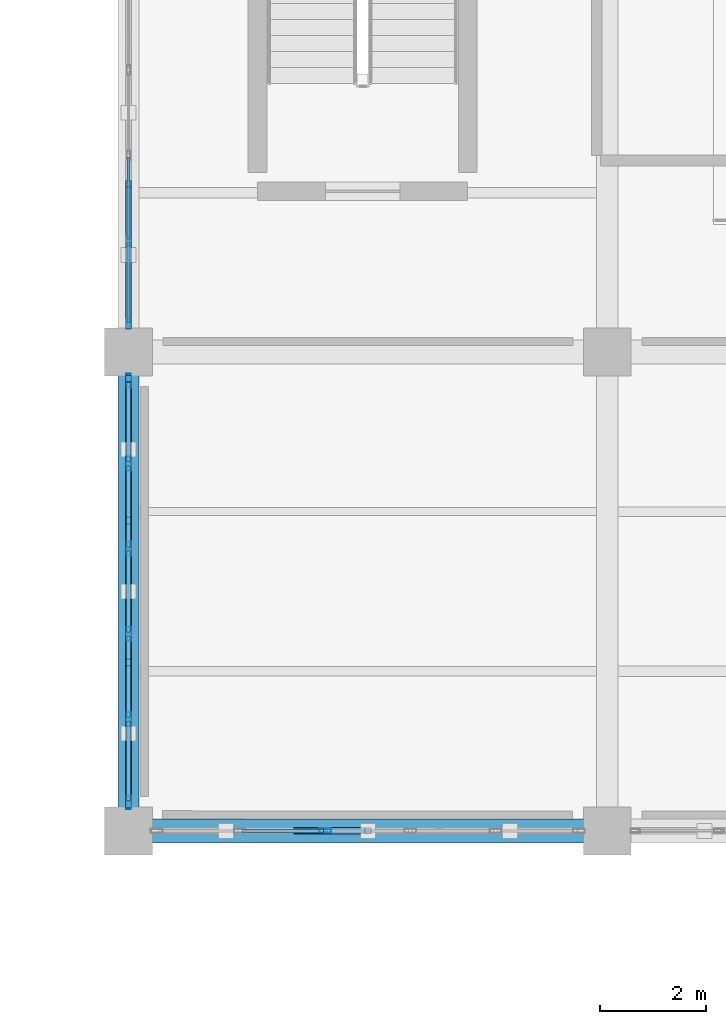
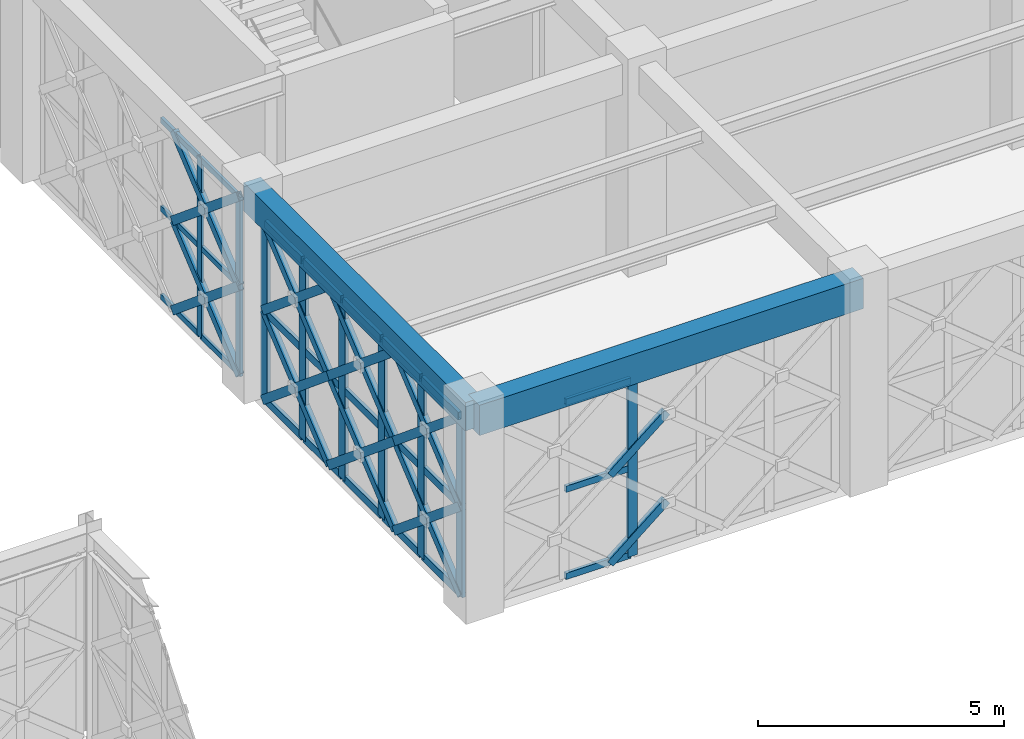
# One storey, part 45 of 166: 59 members, 2 beams, 3 elements without a shape of their own.
"""IFC4 building model written with IfcOpenShell, lengths in metres."""

from ifc_helpers import new_model, si_unit, direction, frame, origin, origin_2d, place, context, subcontext, project, spatial, rectangle, hollow_rectangle, extrude, material, material_profile, profile_set, type_object, element, aggregate, save


model = new_model("IFC4")

# Units and contexts
model_context = context("Model", 3, precision=1e-05, world=origin(), true_north=direction((0.0, 1.0)))
body_context = subcontext(model_context, "Body", "Model", "MODEL_VIEW")
ifc_project = project(units=[si_unit("LENGTHUNIT", "METRE"), si_unit("AREAUNIT", "SQUARE_METRE"), si_unit("VOLUMEUNIT", "CUBIC_METRE"), si_unit("PLANEANGLEUNIT", "RADIAN"), si_unit("MASSUNIT", "GRAM", prefix="KILO")], contexts=[model_context])

# Site, building, storey
site_placement = place(None, origin())
site = spatial("IfcSite", under=ifc_project, at=site_placement, CompositionType="ELEMENT")
building_placement = place(site_placement, origin())
building = spatial("IfcBuilding", under=site, at=building_placement, Name="Haizhuo Lancet Aquarium", CompositionType="ELEMENT")
storey_placement = place(building_placement, frame((0.0, 0.0, 5.39990234375)))
storey = spatial("IfcBuildingStorey", under=building, at=storey_placement, Name="L01", CompositionType="ELEMENT", Elevation=5.39990234375)

# Beams
ifc_material_1 = material(Name="Concrete C40/50", Category="concrete")
ifc_material_profile_1 = material_profile(ifc_material_1, rectangle(XDim=0.39990234375, YDim=0.699951171875, at=origin_2d()), Name="RC-BM 400x700")
ifc_profile_set_1 = profile_set([ifc_material_profile_1], Name="Concrete C40/50")
beam_type_1 = type_object("IfcBeamType", Name="BM-RC-400x700", PredefinedType="BEAM", material=ifc_profile_set_1)
beam_1_placement = place(storey_placement, frame((27.0, -36.0, 4.7900390625), z_axis=(0.0, 1.0, 0.0), x_axis=(-1.0, 0.0, 0.0)))
element("IfcBeam", 1, at=beam_1_placement, inside=storey, type_object=beam_type_1, Name="L01 V3 primary girder BM-L01-V3-001", PredefinedType="BEAM", context=body_context, shape_type="SweptSolid", body=[
    extrude(rectangle(XDim=0.39990234375, YDim=0.699951171875, at=origin_2d()), origin(), (0.0, 0.0, 1.0), 9.0),
])
ifc_material_profile_2 = material_profile(ifc_material_1, rectangle(XDim=0.449951171875, YDim=0.75, at=origin_2d()), Name="RC-BM 450x750")
ifc_profile_set_2 = profile_set([ifc_material_profile_2], Name="Concrete C40/50")
beam_type_2 = type_object("IfcBeamType", Name="BM-RC-450x750", PredefinedType="BEAM", material=ifc_profile_set_2)
beam_2_placement = place(storey_placement, frame((27.0, -36.0, 4.76513671875), z_axis=(1.0, 0.0, 0.0), x_axis=(0.0, 1.0, 0.0)))
element("IfcBeam", 2, at=beam_2_placement, inside=storey, type_object=beam_type_2, Name="L01 V3 primary girder BM-L01-V3-002", PredefinedType="BEAM", context=body_context, shape_type="SweptSolid", body=[
    extrude(rectangle(XDim=0.449951171875, YDim=0.75, at=origin_2d()), origin(), (0.0, 0.0, 1.0), 9.0),
])

# Curtain wall, members
ifc_material_2 = material(Name="Aluminium 6063-T6", Category="aluminium")
curtain_wall_type_1 = type_object("IfcCurtainWallType", Name="CWO-8010x4440", PredefinedType="NOTDEFINED", material=ifc_material_2)
curtain_wall_1_placement = place(storey_placement, origin())
curtain_wall_1 = element("IfcCurtainWall", 3, at=curtain_wall_1_placement, inside=storey, type_object=curtain_wall_type_1, Name="L01 curtain wall CW-V3-L01-049", PredefinedType="NOTDEFINED")
ifc_material_profile_3 = material_profile(ifc_material_2, hollow_rectangle(XDim=0.06494140625, YDim=0.179931640625, WallThickness=0.00390625, at=origin_2d()), Name="ALU-M 65x180x4")
ifc_profile_set_3 = profile_set([ifc_material_profile_3], Name="Aluminium 6063-T6")
member_type_1 = type_object("IfcMemberType", Name="CW-MUL-1", PredefinedType="MULLION", material=ifc_profile_set_3)
member_1_placement = place(storey_placement, frame((27.0, -26.472900390625, 0.0), z_axis=(0.0, 0.0, 1.0), x_axis=(-1.0, 0.0, 0.0)))
member_1 = element("IfcMember", 4, at=member_1_placement, type_object=member_type_1, Name="CWO-80x44 mullion 1", PredefinedType="MULLION", context=body_context, shape_type="SweptSolid", body=[
    extrude(hollow_rectangle(XDim=0.06494140625, YDim=0.179931640625, WallThickness=0.00390625, at=origin_2d()), origin(), (0.0, 0.0, 1.0), 4.440185546875),
])
member_2_placement = place(storey_placement, frame((27.0, -24.903076171875, 0.0), z_axis=(0.0, 0.0, 1.0), x_axis=(-1.0, 0.0, 0.0)))
member_2 = element("IfcMember", 5, at=member_2_placement, type_object=member_type_1, Name="CWO-80x44 mullion 2", PredefinedType="MULLION", context=body_context, shape_type="SweptSolid", body=[
    extrude(hollow_rectangle(XDim=0.06494140625, YDim=0.179931640625, WallThickness=0.00390625, at=origin_2d()), origin(), (0.0, 0.0, 1.0), 4.440185546875),
])

# Curtain wall, member
curtain_wall_type_2 = type_object("IfcCurtainWallType", Name="CWO-8010x4390", PredefinedType="NOTDEFINED", material=ifc_material_2)
curtain_wall_2_placement = place(storey_placement, origin())
curtain_wall_2 = element("IfcCurtainWall", 6, at=curtain_wall_2_placement, inside=storey, type_object=curtain_wall_type_2, Name="L01 curtain wall CW-V3-L01-047", PredefinedType="NOTDEFINED")
ifc_material_profile_4 = material_profile(ifc_material_2, hollow_rectangle(XDim=0.074951171875, YDim=0.219970703125, WallThickness=0.0048828125, at=origin_2d()), Name="ALU-M 75x220x5")
ifc_profile_set_4 = profile_set([ifc_material_profile_4], Name="Aluminium 6063-T6")
member_type_2 = type_object("IfcMemberType", Name="CW-MUL-2", PredefinedType="MULLION", material=ifc_profile_set_4)
member_3_placement = place(storey_placement, frame((30.698974609375, -36.0, 0.0), z_axis=(0.0, 0.0, 1.0), x_axis=(0.0, -1.0, 0.0)))
member_3 = element("IfcMember", 7, at=member_3_placement, type_object=member_type_2, Name="CWO-80x43 mullion 4", PredefinedType="MULLION", context=body_context, shape_type="SweptSolid", body=[
    extrude(hollow_rectangle(XDim=0.074951171875, YDim=0.219970703125, WallThickness=0.0048828125, at=origin_2d()), origin(), (0.0, 0.0, 1.0), 4.39013671875),
])

# Curtain wall, members
curtain_wall_3_placement = place(storey_placement, origin())
curtain_wall_3 = element("IfcCurtainWall", 8, at=curtain_wall_3_placement, inside=storey, type_object=curtain_wall_type_1, Name="L01 curtain wall CW-V3-L01-048", PredefinedType="NOTDEFINED")
ifc_material_profile_5 = material_profile(ifc_material_2, hollow_rectangle(XDim=0.080078125, YDim=0.260009765625, WallThickness=0.0048828125, at=origin_2d()), Name="ALU-M 80x260x5")
ifc_profile_set_5 = profile_set([ifc_material_profile_5], Name="Aluminium 6063-T6")
member_type_3 = type_object("IfcMemberType", Name="CW-MUL-3", PredefinedType="MULLION", material=ifc_profile_set_5)
member_4_placement = place(storey_placement, frame((27.0, -35.465087890625, 0.0), z_axis=(0.0, 0.0, 1.0), x_axis=(-1.0, 0.0, 0.0)))
member_4 = element("IfcMember", 9, at=member_4_placement, type_object=member_type_3, Name="CWO-80x44 mullion 1", PredefinedType="MULLION", context=body_context, shape_type="SweptSolid", body=[
    extrude(hollow_rectangle(XDim=0.080078125, YDim=0.260009765625, WallThickness=0.0048828125, at=origin_2d()), origin(), (0.0, 0.0, 1.0), 4.440185546875),
])
member_5_placement = place(storey_placement, frame((27.0, -33.903076171875, 0.0), z_axis=(0.0, 0.0, 1.0), x_axis=(-1.0, 0.0, 0.0)))
member_5 = element("IfcMember", 10, at=member_5_placement, type_object=member_type_3, Name="CWO-80x44 mullion 2", PredefinedType="MULLION", context=body_context, shape_type="SweptSolid", body=[
    extrude(hollow_rectangle(XDim=0.080078125, YDim=0.260009765625, WallThickness=0.0048828125, at=origin_2d()), origin(), (0.0, 0.0, 1.0), 4.440185546875),
])
member_6_placement = place(storey_placement, frame((27.0, -32.301025390625, 0.0), z_axis=(0.0, 0.0, 1.0), x_axis=(-1.0, 0.0, 0.0)))
member_6 = element("IfcMember", 11, at=member_6_placement, type_object=member_type_3, Name="CWO-80x44 mullion 3", PredefinedType="MULLION", context=body_context, shape_type="SweptSolid", body=[
    extrude(hollow_rectangle(XDim=0.080078125, YDim=0.260009765625, WallThickness=0.0048828125, at=origin_2d()), origin(), (0.0, 0.0, 1.0), 4.440185546875),
])
member_7_placement = place(storey_placement, frame((27.0, -30.698974609375, 0.0), z_axis=(0.0, 0.0, 1.0), x_axis=(-1.0, 0.0, 0.0)))
member_7 = element("IfcMember", 12, at=member_7_placement, type_object=member_type_3, Name="CWO-80x44 mullion 4", PredefinedType="MULLION", context=body_context, shape_type="SweptSolid", body=[
    extrude(hollow_rectangle(XDim=0.080078125, YDim=0.260009765625, WallThickness=0.0048828125, at=origin_2d()), origin(), (0.0, 0.0, 1.0), 4.440185546875),
])
member_8_placement = place(storey_placement, frame((27.0, -29.096923828125, 0.0), z_axis=(0.0, 0.0, 1.0), x_axis=(-1.0, 0.0, 0.0)))
member_8 = element("IfcMember", 13, at=member_8_placement, type_object=member_type_3, Name="CWO-80x44 mullion 5", PredefinedType="MULLION", context=body_context, shape_type="SweptSolid", body=[
    extrude(hollow_rectangle(XDim=0.080078125, YDim=0.260009765625, WallThickness=0.0048828125, at=origin_2d()), origin(), (0.0, 0.0, 1.0), 4.440185546875),
])
member_9_placement = place(storey_placement, frame((27.0, -27.534912109375, 0.0), z_axis=(0.0, 0.0, 1.0), x_axis=(-1.0, 0.0, 0.0)))
member_9 = element("IfcMember", 14, at=member_9_placement, type_object=member_type_3, Name="CWO-80x44 mullion 6", PredefinedType="MULLION", context=body_context, shape_type="SweptSolid", body=[
    extrude(hollow_rectangle(XDim=0.080078125, YDim=0.260009765625, WallThickness=0.0048828125, at=origin_2d()), origin(), (0.0, 0.0, 1.0), 4.440185546875),
])

# Member
ifc_material_profile_6 = material_profile(ifc_material_2, hollow_rectangle(XDim=0.06494140625, YDim=0.139892578125, WallThickness=0.00390625, at=origin_2d()), Name="ALU-T 65x140x4")
ifc_profile_set_6 = profile_set([ifc_material_profile_6], Name="Aluminium 6063-T6")
member_type_4 = type_object("IfcMemberType", Name="CW-TRN-1", PredefinedType="NOTDEFINED", material=ifc_profile_set_6)
member_10_placement = place(storey_placement, frame((27.0, -26.43994140625, 0.033203125), z_axis=(0.0, 1.0, 0.0), x_axis=(-1.0, 0.0, 0.0)))
member_10 = element("IfcMember", 15, at=member_10_placement, type_object=member_type_4, Name="CWO-80x44 transom 1.1", ObjectType="TRANSOM", PredefinedType="USERDEFINED", context=body_context, shape_type="SweptSolid", body=[
    extrude(hollow_rectangle(XDim=0.06494140625, YDim=0.139892578125, WallThickness=0.00390625, at=origin_2d()), origin(), (0.0, 0.0, 1.0), 1.5048828125),
])

member_11_placement = place(storey_placement, frame((27.0, -26.43994140625, 2.22021484375), z_axis=(0.0, 1.0, 0.0), x_axis=(-1.0, 0.0, 0.0)))
member_11 = element("IfcMember", 16, at=member_11_placement, type_object=member_type_4, Name="CWO-80x44 transom 1.2", ObjectType="TRANSOM", PredefinedType="USERDEFINED", context=body_context, shape_type="SweptSolid", body=[
    extrude(hollow_rectangle(XDim=0.06494140625, YDim=0.139892578125, WallThickness=0.00390625, at=origin_2d()), origin(), (0.0, 0.0, 1.0), 1.5048828125),
])

member_12_placement = place(storey_placement, frame((27.0, -26.43994140625, 4.406982421875), z_axis=(0.0, 1.0, 0.0), x_axis=(-1.0, 0.0, 0.0)))
member_12 = element("IfcMember", 17, at=member_12_placement, type_object=member_type_4, Name="CWO-80x44 transom 1.3", ObjectType="TRANSOM", PredefinedType="USERDEFINED", context=body_context, shape_type="SweptSolid", body=[
    extrude(hollow_rectangle(XDim=0.06494140625, YDim=0.139892578125, WallThickness=0.00390625, at=origin_2d()), origin(), (0.0, 0.0, 1.0), 1.5048828125),
])

member_13_placement = place(storey_placement, frame((27.0, -24.8701171875, 0.033203125), z_axis=(0.0, 1.0, 0.0), x_axis=(-1.0, 0.0, 0.0)))
member_13 = element("IfcMember", 18, at=member_13_placement, type_object=member_type_4, Name="CWO-80x44 transom 2.1", ObjectType="TRANSOM", PredefinedType="USERDEFINED", context=body_context, shape_type="SweptSolid", body=[
    extrude(hollow_rectangle(XDim=0.06494140625, YDim=0.139892578125, WallThickness=0.00390625, at=origin_2d()), origin(), (0.0, 0.0, 1.0), 1.5361328125),
])

member_14_placement = place(storey_placement, frame((27.0, -24.8701171875, 2.22021484375), z_axis=(0.0, 1.0, 0.0), x_axis=(-1.0, 0.0, 0.0)))
member_14 = element("IfcMember", 19, at=member_14_placement, type_object=member_type_4, Name="CWO-80x44 transom 2.2", ObjectType="TRANSOM", PredefinedType="USERDEFINED", context=body_context, shape_type="SweptSolid", body=[
    extrude(hollow_rectangle(XDim=0.06494140625, YDim=0.139892578125, WallThickness=0.00390625, at=origin_2d()), origin(), (0.0, 0.0, 1.0), 1.5361328125),
])

member_15_placement = place(storey_placement, frame((27.0, -24.8701171875, 4.406982421875), z_axis=(0.0, 1.0, 0.0), x_axis=(-1.0, 0.0, 0.0)))
member_15 = element("IfcMember", 20, at=member_15_placement, type_object=member_type_4, Name="CWO-80x44 transom 2.3", ObjectType="TRANSOM", PredefinedType="USERDEFINED", context=body_context, shape_type="SweptSolid", body=[
    extrude(hollow_rectangle(XDim=0.06494140625, YDim=0.139892578125, WallThickness=0.00390625, at=origin_2d()), origin(), (0.0, 0.0, 1.0), 1.5361328125),
])

aggregate(curtain_wall_1, [member_1, member_2, member_10, member_11, member_12, member_13, member_14, member_15])

ifc_material_profile_7 = material_profile(ifc_material_2, hollow_rectangle(XDim=0.074951171875, YDim=0.159912109375, WallThickness=0.00390625, at=origin_2d()), Name="ALU-T 75x160x4")
ifc_profile_set_7 = profile_set([ifc_material_profile_7], Name="Aluminium 6063-T6")
member_type_5 = type_object("IfcMemberType", Name="CW-TRN-2", PredefinedType="NOTDEFINED", material=ifc_profile_set_7)
member_16_placement = place(storey_placement, frame((30.662109375, -36.0, 0.0380859375), z_axis=(-1.0, 0.0, 0.0), x_axis=(0.0, -1.0, 0.0)))
member_16 = element("IfcMember", 21, at=member_16_placement, type_object=member_type_5, Name="CWO-80x43 transom 4.1", ObjectType="TRANSOM", PredefinedType="USERDEFINED", context=body_context, shape_type="SweptSolid", body=[
    extrude(hollow_rectangle(XDim=0.074951171875, YDim=0.159912109375, WallThickness=0.00390625, at=origin_2d()), origin(), (0.0, 0.0, 1.0), 1.527099609375),
])

member_17_placement = place(storey_placement, frame((30.662109375, -36.0, 2.195068359375), z_axis=(-1.0, 0.0, 0.0), x_axis=(0.0, -1.0, 0.0)))
member_17 = element("IfcMember", 22, at=member_17_placement, type_object=member_type_5, Name="CWO-80x43 transom 4.2", ObjectType="TRANSOM", PredefinedType="USERDEFINED", context=body_context, shape_type="SweptSolid", body=[
    extrude(hollow_rectangle(XDim=0.074951171875, YDim=0.159912109375, WallThickness=0.00390625, at=origin_2d()), origin(), (0.0, 0.0, 1.0), 1.527099609375),
])

member_18_placement = place(storey_placement, frame((30.662109375, -36.0, 4.35205078125), z_axis=(-1.0, 0.0, 0.0), x_axis=(0.0, -1.0, 0.0)))
member_18 = element("IfcMember", 23, at=member_18_placement, type_object=member_type_5, Name="CWO-80x43 transom 4.3", ObjectType="TRANSOM", PredefinedType="USERDEFINED", context=body_context, shape_type="SweptSolid", body=[
    extrude(hollow_rectangle(XDim=0.074951171875, YDim=0.159912109375, WallThickness=0.00390625, at=origin_2d()), origin(), (0.0, 0.0, 1.0), 1.527099609375),
])

aggregate(curtain_wall_2, [member_3, member_16, member_17, member_18])

ifc_material_profile_8 = material_profile(ifc_material_2, hollow_rectangle(XDim=0.080078125, YDim=0.18994140625, WallThickness=0.0048828125, at=origin_2d()), Name="ALU-T 80x190x5")
ifc_profile_set_8 = profile_set([ifc_material_profile_8], Name="Aluminium 6063-T6")
member_type_6 = type_object("IfcMemberType", Name="CW-TRN-3", PredefinedType="NOTDEFINED", material=ifc_profile_set_8)
member_19_placement = place(storey_placement, frame((27.0, -35.425048828125, 0.0400390625), z_axis=(0.0, 1.0, 0.0), x_axis=(-1.0, 0.0, 0.0)))
member_19 = element("IfcMember", 24, at=member_19_placement, type_object=member_type_6, Name="CWO-80x44 transom 1.1", ObjectType="TRANSOM", PredefinedType="USERDEFINED", context=body_context, shape_type="SweptSolid", body=[
    extrude(hollow_rectangle(XDim=0.080078125, YDim=0.18994140625, WallThickness=0.0048828125, at=origin_2d()), origin(), (0.0, 0.0, 1.0), 1.48193359375),
])

member_20_placement = place(storey_placement, frame((27.0, -35.425048828125, 2.22021484375), z_axis=(0.0, 1.0, 0.0), x_axis=(-1.0, 0.0, 0.0)))
member_20 = element("IfcMember", 25, at=member_20_placement, type_object=member_type_6, Name="CWO-80x44 transom 1.2", ObjectType="TRANSOM", PredefinedType="USERDEFINED", context=body_context, shape_type="SweptSolid", body=[
    extrude(hollow_rectangle(XDim=0.080078125, YDim=0.18994140625, WallThickness=0.0048828125, at=origin_2d()), origin(), (0.0, 0.0, 1.0), 1.48193359375),
])

member_21_placement = place(storey_placement, frame((27.0, -35.425048828125, 4.400146484375), z_axis=(0.0, 1.0, 0.0), x_axis=(-1.0, 0.0, 0.0)))
member_21 = element("IfcMember", 26, at=member_21_placement, type_object=member_type_6, Name="CWO-80x44 transom 1.3", ObjectType="TRANSOM", PredefinedType="USERDEFINED", context=body_context, shape_type="SweptSolid", body=[
    extrude(hollow_rectangle(XDim=0.080078125, YDim=0.18994140625, WallThickness=0.0048828125, at=origin_2d()), origin(), (0.0, 0.0, 1.0), 1.48193359375),
])

member_22_placement = place(storey_placement, frame((27.0, -33.863037109375, 0.0400390625), z_axis=(0.0, 1.0, 0.0), x_axis=(-1.0, 0.0, 0.0)))
member_22 = element("IfcMember", 27, at=member_22_placement, type_object=member_type_6, Name="CWO-80x44 transom 2.1", ObjectType="TRANSOM", PredefinedType="USERDEFINED", context=body_context, shape_type="SweptSolid", body=[
    extrude(hollow_rectangle(XDim=0.080078125, YDim=0.18994140625, WallThickness=0.0048828125, at=origin_2d()), origin(), (0.0, 0.0, 1.0), 1.52197265625),
])

member_23_placement = place(storey_placement, frame((27.0, -33.863037109375, 2.22021484375), z_axis=(0.0, 1.0, 0.0), x_axis=(-1.0, 0.0, 0.0)))
member_23 = element("IfcMember", 28, at=member_23_placement, type_object=member_type_6, Name="CWO-80x44 transom 2.2", ObjectType="TRANSOM", PredefinedType="USERDEFINED", context=body_context, shape_type="SweptSolid", body=[
    extrude(hollow_rectangle(XDim=0.080078125, YDim=0.18994140625, WallThickness=0.0048828125, at=origin_2d()), origin(), (0.0, 0.0, 1.0), 1.52197265625),
])

member_24_placement = place(storey_placement, frame((27.0, -33.863037109375, 4.400146484375), z_axis=(0.0, 1.0, 0.0), x_axis=(-1.0, 0.0, 0.0)))
member_24 = element("IfcMember", 29, at=member_24_placement, type_object=member_type_6, Name="CWO-80x44 transom 2.3", ObjectType="TRANSOM", PredefinedType="USERDEFINED", context=body_context, shape_type="SweptSolid", body=[
    extrude(hollow_rectangle(XDim=0.080078125, YDim=0.18994140625, WallThickness=0.0048828125, at=origin_2d()), origin(), (0.0, 0.0, 1.0), 1.52197265625),
])

member_25_placement = place(storey_placement, frame((27.0, -32.260986328125, 0.0400390625), z_axis=(0.0, 1.0, 0.0), x_axis=(-1.0, 0.0, 0.0)))
member_25 = element("IfcMember", 30, at=member_25_placement, type_object=member_type_6, Name="CWO-80x44 transom 3.1", ObjectType="TRANSOM", PredefinedType="USERDEFINED", context=body_context, shape_type="SweptSolid", body=[
    extrude(hollow_rectangle(XDim=0.080078125, YDim=0.18994140625, WallThickness=0.0048828125, at=origin_2d()), origin(), (0.0, 0.0, 1.0), 1.52197265625),
])

member_26_placement = place(storey_placement, frame((27.0, -32.260986328125, 2.22021484375), z_axis=(0.0, 1.0, 0.0), x_axis=(-1.0, 0.0, 0.0)))
member_26 = element("IfcMember", 31, at=member_26_placement, type_object=member_type_6, Name="CWO-80x44 transom 3.2", ObjectType="TRANSOM", PredefinedType="USERDEFINED", context=body_context, shape_type="SweptSolid", body=[
    extrude(hollow_rectangle(XDim=0.080078125, YDim=0.18994140625, WallThickness=0.0048828125, at=origin_2d()), origin(), (0.0, 0.0, 1.0), 1.52197265625),
])

member_27_placement = place(storey_placement, frame((27.0, -32.260986328125, 4.400146484375), z_axis=(0.0, 1.0, 0.0), x_axis=(-1.0, 0.0, 0.0)))
member_27 = element("IfcMember", 32, at=member_27_placement, type_object=member_type_6, Name="CWO-80x44 transom 3.3", ObjectType="TRANSOM", PredefinedType="USERDEFINED", context=body_context, shape_type="SweptSolid", body=[
    extrude(hollow_rectangle(XDim=0.080078125, YDim=0.18994140625, WallThickness=0.0048828125, at=origin_2d()), origin(), (0.0, 0.0, 1.0), 1.52197265625),
])

member_28_placement = place(storey_placement, frame((27.0, -30.658935546875, 0.0400390625), z_axis=(0.0, 1.0, 0.0), x_axis=(-1.0, 0.0, 0.0)))
member_28 = element("IfcMember", 33, at=member_28_placement, type_object=member_type_6, Name="CWO-80x44 transom 4.1", ObjectType="TRANSOM", PredefinedType="USERDEFINED", context=body_context, shape_type="SweptSolid", body=[
    extrude(hollow_rectangle(XDim=0.080078125, YDim=0.18994140625, WallThickness=0.0048828125, at=origin_2d()), origin(), (0.0, 0.0, 1.0), 1.52197265625),
])

member_29_placement = place(storey_placement, frame((27.0, -30.658935546875, 2.22021484375), z_axis=(0.0, 1.0, 0.0), x_axis=(-1.0, 0.0, 0.0)))
member_29 = element("IfcMember", 34, at=member_29_placement, type_object=member_type_6, Name="CWO-80x44 transom 4.2", ObjectType="TRANSOM", PredefinedType="USERDEFINED", context=body_context, shape_type="SweptSolid", body=[
    extrude(hollow_rectangle(XDim=0.080078125, YDim=0.18994140625, WallThickness=0.0048828125, at=origin_2d()), origin(), (0.0, 0.0, 1.0), 1.52197265625),
])

member_30_placement = place(storey_placement, frame((27.0, -30.658935546875, 4.400146484375), z_axis=(0.0, 1.0, 0.0), x_axis=(-1.0, 0.0, 0.0)))
member_30 = element("IfcMember", 35, at=member_30_placement, type_object=member_type_6, Name="CWO-80x44 transom 4.3", ObjectType="TRANSOM", PredefinedType="USERDEFINED", context=body_context, shape_type="SweptSolid", body=[
    extrude(hollow_rectangle(XDim=0.080078125, YDim=0.18994140625, WallThickness=0.0048828125, at=origin_2d()), origin(), (0.0, 0.0, 1.0), 1.52197265625),
])

member_31_placement = place(storey_placement, frame((27.0, -29.056884765625, 0.0400390625), z_axis=(0.0, 1.0, 0.0), x_axis=(-1.0, 0.0, 0.0)))
member_31 = element("IfcMember", 36, at=member_31_placement, type_object=member_type_6, Name="CWO-80x44 transom 5.1", ObjectType="TRANSOM", PredefinedType="USERDEFINED", context=body_context, shape_type="SweptSolid", body=[
    extrude(hollow_rectangle(XDim=0.080078125, YDim=0.18994140625, WallThickness=0.0048828125, at=origin_2d()), origin(), (0.0, 0.0, 1.0), 1.48193359375),
])

member_32_placement = place(storey_placement, frame((27.0, -29.056884765625, 2.22021484375), z_axis=(0.0, 1.0, 0.0), x_axis=(-1.0, 0.0, 0.0)))
member_32 = element("IfcMember", 37, at=member_32_placement, type_object=member_type_6, Name="CWO-80x44 transom 5.2", ObjectType="TRANSOM", PredefinedType="USERDEFINED", context=body_context, shape_type="SweptSolid", body=[
    extrude(hollow_rectangle(XDim=0.080078125, YDim=0.18994140625, WallThickness=0.0048828125, at=origin_2d()), origin(), (0.0, 0.0, 1.0), 1.48193359375),
])

member_33_placement = place(storey_placement, frame((27.0, -29.056884765625, 4.400146484375), z_axis=(0.0, 1.0, 0.0), x_axis=(-1.0, 0.0, 0.0)))
member_33 = element("IfcMember", 38, at=member_33_placement, type_object=member_type_6, Name="CWO-80x44 transom 5.3", ObjectType="TRANSOM", PredefinedType="USERDEFINED", context=body_context, shape_type="SweptSolid", body=[
    extrude(hollow_rectangle(XDim=0.080078125, YDim=0.18994140625, WallThickness=0.0048828125, at=origin_2d()), origin(), (0.0, 0.0, 1.0), 1.48193359375),
])

aggregate(curtain_wall_3, [member_4, member_5, member_6, member_7, member_8, member_9, member_19, member_20, member_21, member_22, member_23, member_24, member_25, member_26, member_27, member_28, member_29, member_30, member_31, member_32, member_33])

# Members
ifc_material_3 = material(Name="Steel S355", Category="steel")
ifc_material_profile_9 = material_profile(ifc_material_3, hollow_rectangle(XDim=0.1201171875, YDim=0.199951171875, WallThickness=0.008056640625, at=origin_2d()), Name="RHS 120x200x8")
ifc_profile_set_9 = profile_set([ifc_material_profile_9], Name="Steel S355")
member_type_7 = type_object("IfcMemberType", Name="MEM-LB-RHS120x200", PredefinedType="BRACE", material=ifc_profile_set_9)
member_34_placement = place(storey_placement, frame((30.1650390625, -36.0, 0.0), z_axis=(0.772280733977, 0.0, 0.635281408454), x_axis=(0.0, 1.0, 0.0)))
element("IfcMember", 39, at=member_34_placement, inside=storey, type_object=member_type_7, Name="Gothic lancet split diagonal brace CW-V3-L01-047 3B1", PredefinedType="BRACE", context=body_context, shape_type="SweptSolid", body=[
    extrude(hollow_rectangle(XDim=0.1201171875, YDim=0.199951171875, WallThickness=0.008056640625, at=origin_2d()), origin(), (0.0, 0.0, 1.0), 1.728515625),
])
member_35_placement = place(storey_placement, frame((30.1650390625, -36.0, 2.195068359375), z_axis=(0.772627238419, 0.0, 0.634859945541), x_axis=(0.0, 1.0, 0.0)))
element("IfcMember", 40, at=member_35_placement, inside=storey, type_object=member_type_7, Name="Gothic lancet split diagonal brace CW-V3-L01-047 4B1", PredefinedType="BRACE", context=body_context, shape_type="SweptSolid", body=[
    extrude(hollow_rectangle(XDim=0.1201171875, YDim=0.199951171875, WallThickness=0.008056640625, at=origin_2d()), origin(), (0.0, 0.0, 1.0), 1.727783203125),
])
member_36_placement = place(storey_placement, frame((27.0, -35.5048828125, 0.0), z_axis=(0.0, 0.768889363983, 0.63938184675), x_axis=(-1.0, 0.0, 0.0)))
element("IfcMember", 41, at=member_36_placement, inside=storey, type_object=member_type_7, Name="Gothic lancet continuous diagonal brace CW-V3-L01-048 1A", PredefinedType="BRACE", context=body_context, shape_type="SweptSolid", body=[
    extrude(hollow_rectangle(XDim=0.1201171875, YDim=0.199951171875, WallThickness=0.008056640625, at=origin_2d()), origin(), (0.0, 0.0, 1.0), 3.472412109375),
])
for number, where, z_axis, x_axis, name in (
    (42, (27.0, -32.8349609375, 0.0), (0.0, -0.768889363983, 0.63938184675), (1.0, 0.0, 0.0), "Gothic lancet split diagonal brace CW-V3-L01-048 1B1"),
    (43, (27.0, -34.169921875, 1.110107421875), (0.0, -0.768889363983, 0.63938184675), (1.0, 0.0, 0.0), "Gothic lancet split diagonal brace CW-V3-L01-048 1B2"),
):
    element("IfcMember", number, at=place(storey_placement, frame(where, z_axis=z_axis, x_axis=x_axis)), inside=storey, type_object=member_type_7, Name=name, PredefinedType="BRACE", context=body_context, shape_type="SweptSolid", body=[
        extrude(hollow_rectangle(XDim=0.1201171875, YDim=0.199951171875, WallThickness=0.008056640625, at=origin_2d()), origin(), (0.0, 0.0, 1.0), 1.736328125),
    ])
member_37_placement = place(storey_placement, frame((27.0, -35.5048828125, 2.22021484375), z_axis=(0.0, 0.768923928852, 0.639340278443), x_axis=(-1.0, 0.0, 0.0)))
element("IfcMember", 44, at=member_37_placement, inside=storey, type_object=member_type_7, Name="Gothic lancet continuous diagonal brace CW-V3-L01-048 2A", PredefinedType="BRACE", context=body_context, shape_type="SweptSolid", body=[
    extrude(hollow_rectangle(XDim=0.1201171875, YDim=0.199951171875, WallThickness=0.008056640625, at=origin_2d()), origin(), (0.0, 0.0, 1.0), 3.47216796875),
])
member_38_placement = place(storey_placement, frame((27.0, -32.8349609375, 2.22021484375), z_axis=(0.0, -0.768958494581, 0.639298704529), x_axis=(1.0, 0.0, 0.0)))
element("IfcMember", 45, at=member_38_placement, inside=storey, type_object=member_type_7, Name="Gothic lancet split diagonal brace CW-V3-L01-048 2B1", PredefinedType="BRACE", context=body_context, shape_type="SweptSolid", body=[
    extrude(hollow_rectangle(XDim=0.1201171875, YDim=0.199951171875, WallThickness=0.008056640625, at=origin_2d()), origin(), (0.0, 0.0, 1.0), 1.736083984375),
])
member_39_placement = place(storey_placement, frame((27.0, -34.169921875, 3.330078125), z_axis=(0.0, -0.768889363983, 0.63938184675), x_axis=(1.0, 0.0, 0.0)))
element("IfcMember", 46, at=member_39_placement, inside=storey, type_object=member_type_7, Name="Gothic lancet split diagonal brace CW-V3-L01-048 2B2", PredefinedType="BRACE", context=body_context, shape_type="SweptSolid", body=[
    extrude(hollow_rectangle(XDim=0.1201171875, YDim=0.199951171875, WallThickness=0.008056640625, at=origin_2d()), origin(), (0.0, 0.0, 1.0), 1.736328125),
])
member_40_placement = place(storey_placement, frame((27.0, -32.8349609375, 0.0), z_axis=(0.0, 0.768889363983, 0.63938184675), x_axis=(-1.0, 0.0, 0.0)))
element("IfcMember", 47, at=member_40_placement, inside=storey, type_object=member_type_7, Name="Gothic lancet continuous diagonal brace CW-V3-L01-048 3A", PredefinedType="BRACE", context=body_context, shape_type="SweptSolid", body=[
    extrude(hollow_rectangle(XDim=0.1201171875, YDim=0.199951171875, WallThickness=0.008056640625, at=origin_2d()), origin(), (0.0, 0.0, 1.0), 3.472412109375),
])
for number, where, z_axis, x_axis, name in (
    (48, (27.0, -30.1650390625, 0.0), (0.0, -0.768889363983, 0.63938184675), (1.0, 0.0, 0.0), "Gothic lancet split diagonal brace CW-V3-L01-048 3B1"),
    (49, (27.0, -31.5, 1.110107421875), (0.0, -0.768889363983, 0.63938184675), (1.0, 0.0, 0.0), "Gothic lancet split diagonal brace CW-V3-L01-048 3B2"),
):
    element("IfcMember", number, at=place(storey_placement, frame(where, z_axis=z_axis, x_axis=x_axis)), inside=storey, type_object=member_type_7, Name=name, PredefinedType="BRACE", context=body_context, shape_type="SweptSolid", body=[
        extrude(hollow_rectangle(XDim=0.1201171875, YDim=0.199951171875, WallThickness=0.008056640625, at=origin_2d()), origin(), (0.0, 0.0, 1.0), 1.736328125),
    ])
member_41_placement = place(storey_placement, frame((27.0, -32.8349609375, 2.22021484375), z_axis=(0.0, 0.768923928852, 0.639340278443), x_axis=(-1.0, 0.0, 0.0)))
element("IfcMember", 50, at=member_41_placement, inside=storey, type_object=member_type_7, Name="Gothic lancet continuous diagonal brace CW-V3-L01-048 4A", PredefinedType="BRACE", context=body_context, shape_type="SweptSolid", body=[
    extrude(hollow_rectangle(XDim=0.1201171875, YDim=0.199951171875, WallThickness=0.008056640625, at=origin_2d()), origin(), (0.0, 0.0, 1.0), 3.47216796875),
])
member_42_placement = place(storey_placement, frame((27.0, -30.1650390625, 2.22021484375), z_axis=(0.0, -0.768958494581, 0.639298704529), x_axis=(1.0, 0.0, 0.0)))
element("IfcMember", 51, at=member_42_placement, inside=storey, type_object=member_type_7, Name="Gothic lancet split diagonal brace CW-V3-L01-048 4B1", PredefinedType="BRACE", context=body_context, shape_type="SweptSolid", body=[
    extrude(hollow_rectangle(XDim=0.1201171875, YDim=0.199951171875, WallThickness=0.008056640625, at=origin_2d()), origin(), (0.0, 0.0, 1.0), 1.736083984375),
])
member_43_placement = place(storey_placement, frame((27.0, -31.5, 3.330078125), z_axis=(0.0, -0.768889363983, 0.63938184675), x_axis=(1.0, 0.0, 0.0)))
element("IfcMember", 52, at=member_43_placement, inside=storey, type_object=member_type_7, Name="Gothic lancet split diagonal brace CW-V3-L01-048 4B2", PredefinedType="BRACE", context=body_context, shape_type="SweptSolid", body=[
    extrude(hollow_rectangle(XDim=0.1201171875, YDim=0.199951171875, WallThickness=0.008056640625, at=origin_2d()), origin(), (0.0, 0.0, 1.0), 1.736328125),
])
member_44_placement = place(storey_placement, frame((27.0, -30.1650390625, 0.0), z_axis=(0.0, 0.768889363983, 0.63938184675), x_axis=(-1.0, 0.0, 0.0)))
element("IfcMember", 53, at=member_44_placement, inside=storey, type_object=member_type_7, Name="Gothic lancet continuous diagonal brace CW-V3-L01-048 5A", PredefinedType="BRACE", context=body_context, shape_type="SweptSolid", body=[
    extrude(hollow_rectangle(XDim=0.1201171875, YDim=0.199951171875, WallThickness=0.008056640625, at=origin_2d()), origin(), (0.0, 0.0, 1.0), 3.472412109375),
])
for number, where, z_axis, x_axis, name in (
    (54, (27.0, -27.4951171875, 0.0), (0.0, -0.768889363983, 0.63938184675), (1.0, 0.0, 0.0), "Gothic lancet split diagonal brace CW-V3-L01-048 5B1"),
    (55, (27.0, -28.830078125, 1.110107421875), (0.0, -0.768889363983, 0.63938184675), (1.0, 0.0, 0.0), "Gothic lancet split diagonal brace CW-V3-L01-048 5B2"),
):
    element("IfcMember", number, at=place(storey_placement, frame(where, z_axis=z_axis, x_axis=x_axis)), inside=storey, type_object=member_type_7, Name=name, PredefinedType="BRACE", context=body_context, shape_type="SweptSolid", body=[
        extrude(hollow_rectangle(XDim=0.1201171875, YDim=0.199951171875, WallThickness=0.008056640625, at=origin_2d()), origin(), (0.0, 0.0, 1.0), 1.736328125),
    ])
member_45_placement = place(storey_placement, frame((27.0, -30.1650390625, 2.22021484375), z_axis=(0.0, 0.768923928852, 0.639340278443), x_axis=(-1.0, 0.0, 0.0)))
element("IfcMember", 56, at=member_45_placement, inside=storey, type_object=member_type_7, Name="Gothic lancet continuous diagonal brace CW-V3-L01-048 6A", PredefinedType="BRACE", context=body_context, shape_type="SweptSolid", body=[
    extrude(hollow_rectangle(XDim=0.1201171875, YDim=0.199951171875, WallThickness=0.008056640625, at=origin_2d()), origin(), (0.0, 0.0, 1.0), 3.47216796875),
])
member_46_placement = place(storey_placement, frame((27.0, -27.4951171875, 2.22021484375), z_axis=(0.0, -0.768958494581, 0.639298704529), x_axis=(1.0, 0.0, 0.0)))
element("IfcMember", 57, at=member_46_placement, inside=storey, type_object=member_type_7, Name="Gothic lancet split diagonal brace CW-V3-L01-048 6B1", PredefinedType="BRACE", context=body_context, shape_type="SweptSolid", body=[
    extrude(hollow_rectangle(XDim=0.1201171875, YDim=0.199951171875, WallThickness=0.008056640625, at=origin_2d()), origin(), (0.0, 0.0, 1.0), 1.736083984375),
])
member_47_placement = place(storey_placement, frame((27.0, -28.830078125, 3.330078125), z_axis=(0.0, -0.768889363983, 0.63938184675), x_axis=(1.0, 0.0, 0.0)))
element("IfcMember", 58, at=member_47_placement, inside=storey, type_object=member_type_7, Name="Gothic lancet split diagonal brace CW-V3-L01-048 6B2", PredefinedType="BRACE", context=body_context, shape_type="SweptSolid", body=[
    extrude(hollow_rectangle(XDim=0.1201171875, YDim=0.199951171875, WallThickness=0.008056640625, at=origin_2d()), origin(), (0.0, 0.0, 1.0), 1.736328125),
])
member_48_placement = place(storey_placement, frame((27.0, -26.5048828125, 0.0), z_axis=(0.0, 0.768889363983, 0.63938184675), x_axis=(-1.0, 0.0, 0.0)))
element("IfcMember", 59, at=member_48_placement, inside=storey, type_object=member_type_7, Name="Gothic lancet continuous diagonal brace CW-V3-L01-049 1A", PredefinedType="BRACE", context=body_context, shape_type="SweptSolid", body=[
    extrude(hollow_rectangle(XDim=0.1201171875, YDim=0.199951171875, WallThickness=0.008056640625, at=origin_2d()), origin(), (0.0, 0.0, 1.0), 3.472412109375),
])
for number, where, z_axis, x_axis, name in (
    (60, (27.0, -23.8349609375, 0.0), (0.0, -0.768889363983, 0.63938184675), (1.0, 0.0, 0.0), "Gothic lancet split diagonal brace CW-V3-L01-049 1B1"),
    (61, (27.0, -25.169921875, 1.110107421875), (0.0, -0.768889363983, 0.63938184675), (1.0, 0.0, 0.0), "Gothic lancet split diagonal brace CW-V3-L01-049 1B2"),
):
    element("IfcMember", number, at=place(storey_placement, frame(where, z_axis=z_axis, x_axis=x_axis)), inside=storey, type_object=member_type_7, Name=name, PredefinedType="BRACE", context=body_context, shape_type="SweptSolid", body=[
        extrude(hollow_rectangle(XDim=0.1201171875, YDim=0.199951171875, WallThickness=0.008056640625, at=origin_2d()), origin(), (0.0, 0.0, 1.0), 1.736328125),
    ])
member_49_placement = place(storey_placement, frame((27.0, -26.5048828125, 2.22021484375), z_axis=(0.0, 0.768923928852, 0.639340278443), x_axis=(-1.0, 0.0, 0.0)))
element("IfcMember", 62, at=member_49_placement, inside=storey, type_object=member_type_7, Name="Gothic lancet continuous diagonal brace CW-V3-L01-049 2A", PredefinedType="BRACE", context=body_context, shape_type="SweptSolid", body=[
    extrude(hollow_rectangle(XDim=0.1201171875, YDim=0.199951171875, WallThickness=0.008056640625, at=origin_2d()), origin(), (0.0, 0.0, 1.0), 3.47216796875),
])
member_50_placement = place(storey_placement, frame((27.0, -23.8349609375, 2.22021484375), z_axis=(0.0, -0.768958494581, 0.639298704529), x_axis=(1.0, 0.0, 0.0)))
element("IfcMember", 63, at=member_50_placement, inside=storey, type_object=member_type_7, Name="Gothic lancet split diagonal brace CW-V3-L01-049 2B1", PredefinedType="BRACE", context=body_context, shape_type="SweptSolid", body=[
    extrude(hollow_rectangle(XDim=0.1201171875, YDim=0.199951171875, WallThickness=0.008056640625, at=origin_2d()), origin(), (0.0, 0.0, 1.0), 1.736083984375),
])
member_51_placement = place(storey_placement, frame((27.0, -25.169921875, 3.330078125), z_axis=(0.0, -0.768889363983, 0.63938184675), x_axis=(1.0, 0.0, 0.0)))
element("IfcMember", 64, at=member_51_placement, inside=storey, type_object=member_type_7, Name="Gothic lancet split diagonal brace CW-V3-L01-049 2B2", PredefinedType="BRACE", context=body_context, shape_type="SweptSolid", body=[
    extrude(hollow_rectangle(XDim=0.1201171875, YDim=0.199951171875, WallThickness=0.008056640625, at=origin_2d()), origin(), (0.0, 0.0, 1.0), 1.736328125),
])

save(model, "model.ifc")
